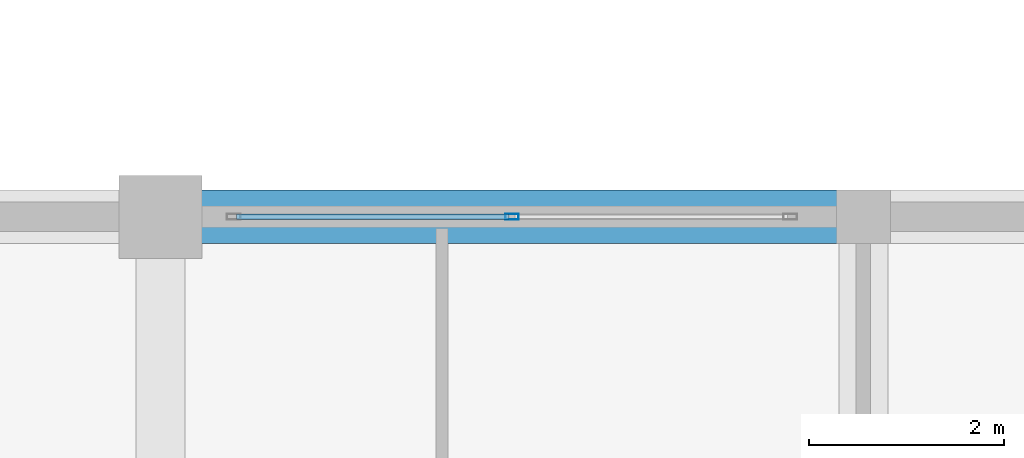
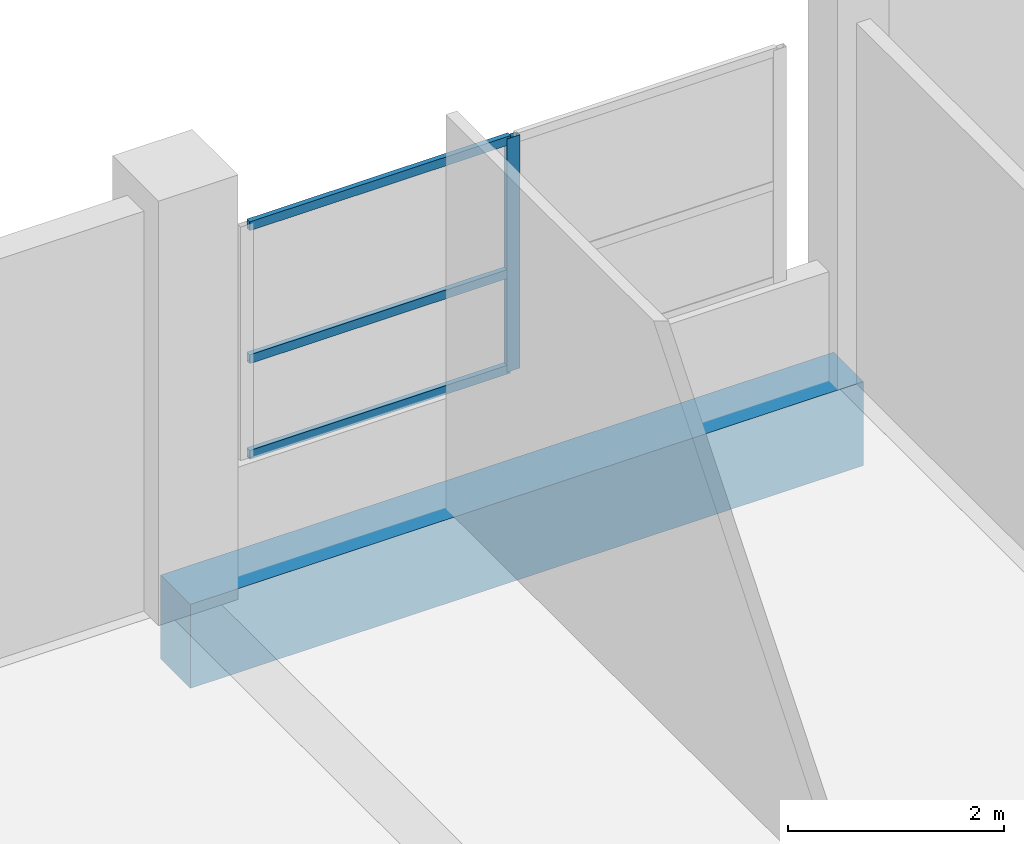
# One storey, part 56 of 181: 4 members, 1 beam, 1 element without a shape of its own.
"""IFC4 building model written with IfcOpenShell, lengths in metres."""

from ifc_helpers import new_model, si_unit, direction, frame, origin, origin_2d, place, context, subcontext, project, spatial, rectangle, hollow_rectangle, extrude, material, layer, layer_set, material_profile, profile_set, type_object, element, aggregate, save


model = new_model("IFC4")

# Units and contexts
model_context = context("Model", 3, precision=1e-05, world=origin(), true_north=direction((0.0, 1.0)))
body_context = subcontext(model_context, "Body", "Model", "MODEL_VIEW")
ifc_project = project(units=[si_unit("LENGTHUNIT", "METRE"), si_unit("AREAUNIT", "SQUARE_METRE"), si_unit("VOLUMEUNIT", "CUBIC_METRE"), si_unit("PLANEANGLEUNIT", "RADIAN"), si_unit("MASSUNIT", "GRAM", prefix="KILO")], contexts=[model_context])

# Site, building, storey
site_placement = place(None, origin())
site = spatial("IfcSite", under=ifc_project, at=site_placement, CompositionType="ELEMENT")
building_placement = place(site_placement, origin())
building = spatial("IfcBuilding", under=site, at=building_placement, Name="Seraya Terrace Polytechnic", CompositionType="ELEMENT")
storey_placement = place(building_placement, frame((0.0, 0.0, 4.800048828125)))
storey = spatial("IfcBuildingStorey", under=building, at=storey_placement, Name="L01", CompositionType="ELEMENT", Elevation=4.800048828125)

# Beam
ifc_material_1 = material(Name="Concrete C40/50", Category="concrete")
ifc_material_profile_1 = material_profile(ifc_material_1, rectangle(XDim=0.550048828125, YDim=0.949951171875, at=origin_2d()), Name="RC 550x950")
ifc_profile_set_1 = profile_set([ifc_material_profile_1], Name="Concrete C40/50")
beam_type = type_object("IfcBeamType", Name="BM-03", PredefinedType="BEAM", material=ifc_profile_set_1)
beam_placement = place(storey_placement, frame((122.39990234375, 36.0, -0.47509765625), z_axis=(1.0, 0.0, 0.0), x_axis=(0.0, 1.0, 0.0)))
element("IfcBeam", 1, at=beam_placement, inside=storey, type_object=beam_type, Name="Beam BM-03 L01 X (122.4..129.6, 36.0)", PredefinedType="BEAM", context=body_context, shape_type="SweptSolid", body=[
    extrude(rectangle(XDim=0.550048828125, YDim=0.949951171875, at=origin_2d()), origin(), (0.0, 0.0, 1.0), 7.2001953125),
])

# Curtain wall, members
ifc_material_2 = material(Name="Anodised aluminium EN AW-6063 T6", Category="aluminium")
ifc_layer = layer(ifc_material_2, 0.179931640625, Name="CW-18")
ifc_layer_set = layer_set([ifc_layer], Name="Anodised aluminium EN AW-6063 T6")
curtain_wall_type = type_object("IfcCurtainWallType", Name="CW-18", PredefinedType="NOTDEFINED", material=ifc_layer_set)
curtain_wall_placement = place(storey_placement, origin())
curtain_wall = element("IfcCurtainWall", 2, at=curtain_wall_placement, inside=storey, type_object=curtain_wall_type, Name="Unitised curtain wall CW-18 (CW-L01-054)", PredefinedType="NOTDEFINED")
ifc_material_profile_2 = material_profile(ifc_material_2, hollow_rectangle(XDim=0.06005859375, YDim=0.139892578125, WallThickness=0.00341796875, at=origin_2d()), Name="RHS 140x60x3.5")
ifc_profile_set_2 = profile_set([ifc_material_profile_2], Name="Anodised aluminium EN AW-6063 T6")
member_type_1 = type_object("IfcMemberType", Name="CWM-03", PredefinedType="MULLION", material=ifc_profile_set_2)
member_1_placement = place(storey_placement, frame((126.0, 36.0, 1.239990234375), z_axis=(0.0, 0.0, 1.0), x_axis=(0.0, 1.0, 0.0)))
member_1 = element("IfcMember", 3, at=member_1_placement, type_object=member_type_1, Name="CW-18 mullion 2", PredefinedType="MULLION", context=body_context, shape_type="SweptSolid", body=[
    extrude(hollow_rectangle(XDim=0.06005859375, YDim=0.139892578125, WallThickness=0.00341796875, at=origin_2d()), origin(), (0.0, 0.0, 1.0), 2.639892578125),
])
ifc_material_profile_3 = material_profile(ifc_material_2, hollow_rectangle(XDim=0.054931640625, YDim=0.10009765625, WallThickness=0.0029296875, at=origin_2d()), Name="RHS 100x55x3.0")
ifc_profile_set_3 = profile_set([ifc_material_profile_3], Name="Anodised aluminium EN AW-6063 T6")
member_type_2 = type_object("IfcMemberType", Name="CWT-03", PredefinedType="USERDEFINED", material=ifc_profile_set_3)
member_2_placement = place(storey_placement, frame((123.179931640625, 36.0, 1.267333984375), z_axis=(1.0, 0.0, 0.0), x_axis=(0.0, 1.0, 0.0)))
member_2 = element("IfcMember", 4, at=member_2_placement, type_object=member_type_2, Name="CW-18 transom 1.1", ObjectType="TRANSOM", PredefinedType="USERDEFINED", context=body_context, shape_type="SweptSolid", body=[
    extrude(hollow_rectangle(XDim=0.054931640625, YDim=0.10009765625, WallThickness=0.0029296875, at=origin_2d()), origin(), (0.0, 0.0, 1.0), 2.7900390625),
])
member_3_placement = place(storey_placement, frame((123.179931640625, 36.0, 2.3486328125), z_axis=(1.0, 0.0, 0.0), x_axis=(0.0, 1.0, 0.0)))
member_3 = element("IfcMember", 5, at=member_3_placement, type_object=member_type_2, Name="CW-18 transom 1.2", ObjectType="TRANSOM", PredefinedType="USERDEFINED", context=body_context, shape_type="SweptSolid", body=[
    extrude(hollow_rectangle(XDim=0.054931640625, YDim=0.10009765625, WallThickness=0.0029296875, at=origin_2d()), origin(), (0.0, 0.0, 1.0), 2.7900390625),
])
member_4_placement = place(storey_placement, frame((123.179931640625, 36.0, 3.8525390625), z_axis=(1.0, 0.0, 0.0), x_axis=(0.0, 1.0, 0.0)))
member_4 = element("IfcMember", 6, at=member_4_placement, type_object=member_type_2, Name="CW-18 transom 1.3", ObjectType="TRANSOM", PredefinedType="USERDEFINED", context=body_context, shape_type="SweptSolid", body=[
    extrude(hollow_rectangle(XDim=0.054931640625, YDim=0.10009765625, WallThickness=0.0029296875, at=origin_2d()), origin(), (0.0, 0.0, 1.0), 2.7900390625),
])
aggregate(curtain_wall, [member_1, member_2, member_3, member_4])

save(model, "model.ifc")
